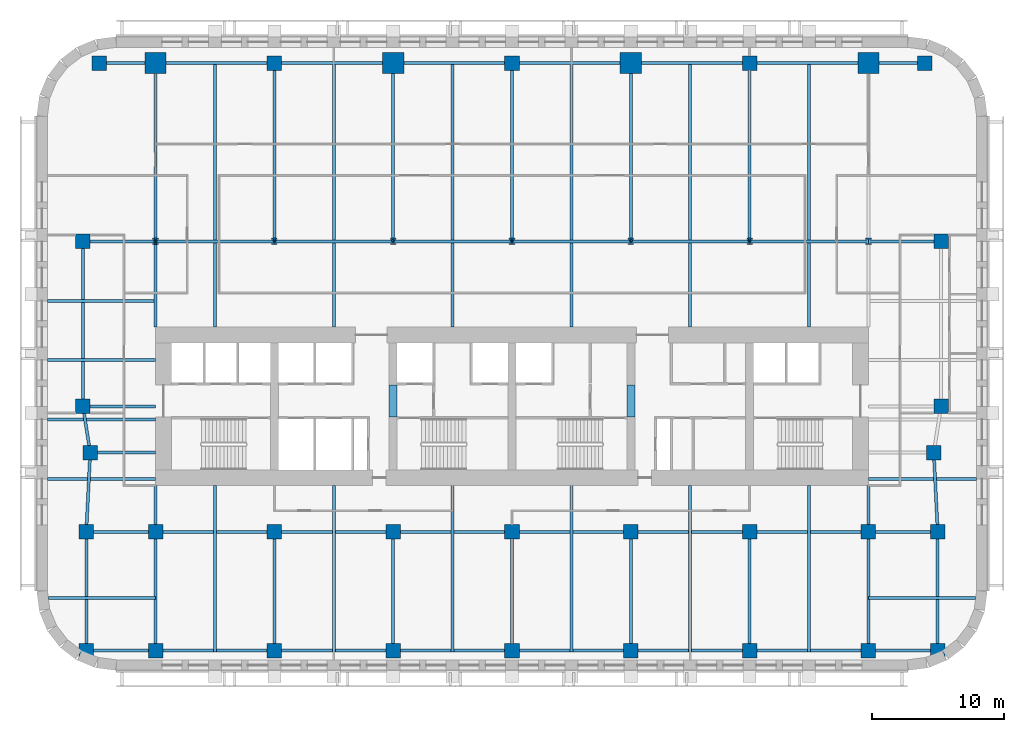
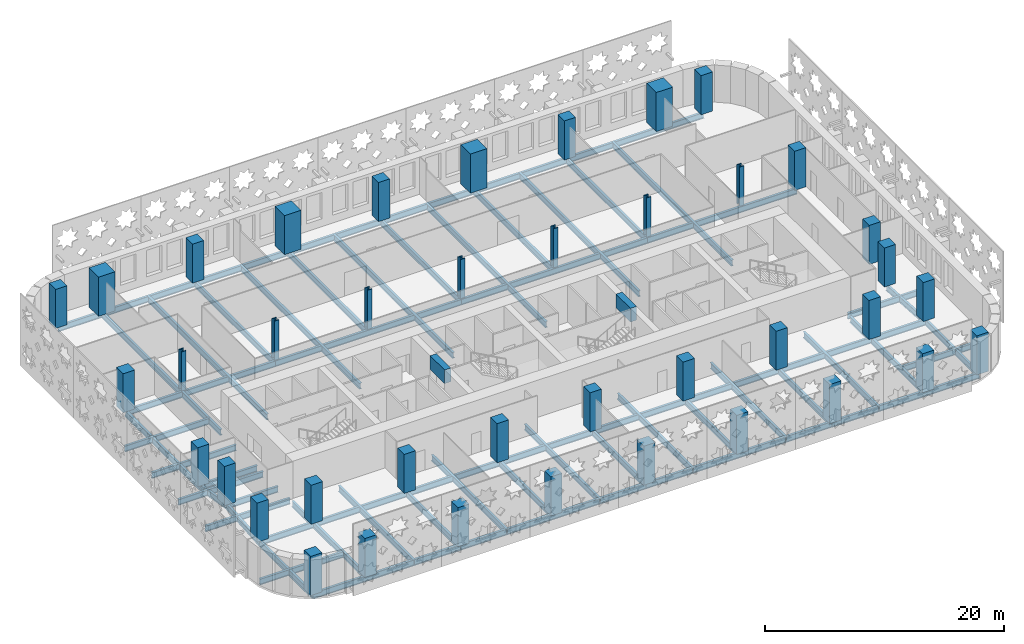
# One storey, part 1 of 15: 59 beams, 40 columns.
"""IFC4 building model written with IfcOpenShell, lengths in metres."""

from ifc_helpers import new_model, si_unit, direction, frame, origin, origin_2d, place, context, subcontext, project, spatial, rectangle, i_section, extrude, material, material_profile, profile_set, type_object, element, save


model = new_model("IFC4")

# Units and contexts
model_context = context("Model", 3, precision=1e-05, world=origin(), true_north=direction((0.0, 1.0)))
body_context = subcontext(model_context, "Body", "Model", "MODEL_VIEW")
ifc_project = project(units=[si_unit("LENGTHUNIT", "METRE"), si_unit("AREAUNIT", "SQUARE_METRE"), si_unit("VOLUMEUNIT", "CUBIC_METRE"), si_unit("PLANEANGLEUNIT", "RADIAN"), si_unit("MASSUNIT", "GRAM", prefix="KILO")], contexts=[model_context])

# Site, building, storey
site_placement = place(None, origin())
site = spatial("IfcSite", under=ifc_project, at=site_placement, CompositionType="ELEMENT")
building_placement = place(site_placement, origin())
building = spatial("IfcBuilding", under=site, at=building_placement, Name="Zellij Exchange Tower", CompositionType="ELEMENT")
storey_placement = place(building_placement, frame((0.0, 0.0, 92.5)))
storey = spatial("IfcBuildingStorey", under=building, at=storey_placement, Name="L19", CompositionType="ELEMENT", Elevation=92.5)

# Columns
ifc_material_1 = material(Name="Concrete C70/85", Category="concrete")
ifc_material_profile_1 = material_profile(ifc_material_1, rectangle(XDim=1.10009765625, YDim=1.10009765625, at=origin_2d()), Name="STR-COLUMN RC1100x1100 C70/85")
ifc_profile_set_1 = profile_set([ifc_material_profile_1], Name="Concrete C70/85")
column_type_1 = type_object("IfcColumnType", Name="STR-COLUMN RC1100x1100 C70/85", PredefinedType="COLUMN", material=ifc_profile_set_1)
for number, where, z_axis, x_axis, name in (
    (1, (-32.25, -26.5, 0.0), (0.0, 0.0, 1.0), (1.0, 0.0, 0.0), "C11"),
    (2, (-27.0, -26.5, 0.0), (0.0, 0.0, 1.0), (1.0, 0.0, 0.0), "C11"),
    (3, (-18.0, -26.5, 0.0), (0.0, 0.0, 1.0), (1.0, 0.0, 0.0), "C11"),
    (4, (-9.0, -26.5, 0.0), (0.0, 0.0, 1.0), (1.0, 0.0, 0.0), "C11"),
    (5, (0.0, -26.5, 0.0), (0.0, 0.0, 1.0), (1.0, 0.0, 0.0), "C11"),
    (6, (9.0, -26.5, 0.0), (0.0, 0.0, 1.0), (1.0, 0.0, 0.0), "C11"),
    (7, (18.0, -26.5, 0.0), (0.0, 0.0, 1.0), (1.0, 0.0, 0.0), "C11"),
    (8, (27.0, -26.5, 0.0), (0.0, 0.0, 1.0), (1.0, 0.0, 0.0), "C11"),
    (9, (32.25, -26.5, 0.0), (0.0, 0.0, 1.0), (1.0, 0.0, 0.0), "C11"),
    (10, (-32.25, -17.5, 0.0), (0.0, 0.0, 1.0), (1.0, 0.0, 0.0), "C11"),
    (11, (-27.0, -17.5, 0.0), (0.0, 0.0, 1.0), (1.0, 0.0, 0.0), "C11"),
    (12, (-18.0, -17.5, 0.0), (0.0, 0.0, 1.0), (1.0, 0.0, 0.0), "C11"),
    (13, (-9.0, -17.5, 0.0), (0.0, 0.0, 1.0), (1.0, 0.0, 0.0), "C11"),
    (14, (0.0, -17.5, 0.0), (0.0, 0.0, 1.0), (1.0, 0.0, 0.0), "C11"),
    (15, (9.0, -17.5, 0.0), (0.0, 0.0, 1.0), (1.0, 0.0, 0.0), "C11"),
    (16, (18.0, -17.5, 0.0), (0.0, 0.0, 1.0), (1.0, 0.0, 0.0), "C11"),
    (17, (27.0, -17.5, 0.0), (0.0, 0.0, 1.0), (1.0, 0.0, 0.0), "C11"),
    (18, (32.25, -17.5, 0.0), (0.0, 0.0, 1.0), (1.0, 0.0, 0.0), "C11"),
    (19, (-31.949951171875, -11.5, 0.0), (0.0, 0.0, 1.0), (1.0, 0.0, 0.0), "C11"),
    (20, (31.949951171875, -11.5, 0.0), (0.0, 0.0, 1.0), (1.0, 0.0, 0.0), "C11"),
    (21, (-32.5, -8.0, 0.0), (0.0, 0.0, 1.0), (1.0, 0.0, 0.0), "C11"),
    (22, (32.5, -8.0, 0.0), (0.0, 0.0, 1.0), (1.0, 0.0, 0.0), "C11"),
    (23, (-32.5, 4.5, 0.0), (0.0, 0.0, 1.0), (1.0, 0.0, 0.0), "C11"),
    (24, (32.5, 4.5, 0.0), (0.0, 0.0, 1.0), (1.0, 0.0, 0.0), "C11"),
    (25, (-31.25, 18.0, 0.0), (0.0, 0.0, 1.0), (1.0, 0.0, 0.0), "C11"),
    (26, (-18.0, 18.0, 0.0), (0.0, 0.0, 1.0), (1.0, 0.0, 0.0), "C11"),
    (27, (0.0, 18.0, 0.0), (0.0, 0.0, 1.0), (1.0, 0.0, 0.0), "C11"),
    (28, (18.0, 18.0, 0.0), (0.0, 0.0, 1.0), (1.0, 0.0, 0.0), "C11"),
    (29, (31.25, 18.0, 0.0), (0.0, 0.0, 1.0), (1.0, 0.0, 0.0), "C11"),
):
    element("IfcColumn", number, at=place(storey_placement, frame(where, z_axis=z_axis, x_axis=x_axis)), inside=storey, type_object=column_type_1, Name=name, PredefinedType="COLUMN", context=body_context, shape_type="SweptSolid", body=[
        extrude(rectangle(XDim=1.10009765625, YDim=1.10009765625, at=origin_2d()), origin(), (0.0, 0.0, 1.0), 4.0),
    ])
ifc_material_2 = material(Name="Structural steel ASTM A913 Gr 65", Category="steel")
ifc_material_profile_2 = material_profile(ifc_material_2, i_section(OverallWidth=0.431884765625, OverallDepth=0.497802734375, WebThickness=0.0556640625, FlangeThickness=0.0888671875, at=origin_2d()), Name="W14x500")
ifc_profile_set_2 = profile_set([ifc_material_profile_2], Name="Structural steel ASTM A913 Gr 65")
column_type_2 = type_object("IfcColumnType", Name="STR-COLUMN W14x500", PredefinedType="COLUMN", material=ifc_profile_set_2)
for number, where, z_axis, x_axis, name in (
    (30, (-27.0, 4.5, 0.0), (0.0, 0.0, 1.0), (1.0, 0.0, 0.0), "C5"),
    (31, (-18.0, 4.5, 0.0), (0.0, 0.0, 1.0), (1.0, 0.0, 0.0), "C5"),
    (32, (-9.0, 4.5, 0.0), (0.0, 0.0, 1.0), (1.0, 0.0, 0.0), "C5"),
    (33, (0.0, 4.5, 0.0), (0.0, 0.0, 1.0), (1.0, 0.0, 0.0), "C5"),
    (34, (9.0, 4.5, 0.0), (0.0, 0.0, 1.0), (1.0, 0.0, 0.0), "C5"),
    (35, (18.0, 4.5, 0.0), (0.0, 0.0, 1.0), (1.0, 0.0, 0.0), "C5"),
    (36, (27.0, 4.5, 0.0), (0.0, 0.0, 1.0), (1.0, 0.0, 0.0), "C5"),
):
    element("IfcColumn", number, at=place(storey_placement, frame(where, z_axis=z_axis, x_axis=x_axis)), inside=storey, type_object=column_type_2, Name=name, PredefinedType="COLUMN", context=body_context, shape_type="SweptSolid", body=[
        extrude(i_section(OverallWidth=0.431884765625, OverallDepth=0.497802734375, WebThickness=0.0556640625, FlangeThickness=0.0888671875, at=origin_2d()), origin(), (0.0, 0.0, 1.0), 4.0),
    ])
ifc_material_profile_3 = material_profile(ifc_material_1, rectangle(XDim=1.60009765625, YDim=1.60009765625, at=origin_2d()), Name="STR-MEGA COLUMN RC1600x1600 C70/85")
ifc_profile_set_3 = profile_set([ifc_material_profile_3], Name="Concrete C70/85")
column_type_3 = type_object("IfcColumnType", Name="STR-MEGA COLUMN RC1600x1600 C70/85", PredefinedType="COLUMN", material=ifc_profile_set_3)
for number, where, z_axis, x_axis, name in (
    (37, (-27.0, 18.0, 0.0), (0.0, 0.0, 1.0), (1.0, 0.0, 0.0), "MC6"),
    (38, (-9.0, 18.0, 0.0), (0.0, 0.0, 1.0), (1.0, 0.0, 0.0), "MC6"),
    (39, (9.0, 18.0, 0.0), (0.0, 0.0, 1.0), (1.0, 0.0, 0.0), "MC6"),
    (40, (27.0, 18.0, 0.0), (0.0, 0.0, 1.0), (1.0, 0.0, 0.0), "MC6"),
):
    element("IfcColumn", number, at=place(storey_placement, frame(where, z_axis=z_axis, x_axis=x_axis)), inside=storey, type_object=column_type_3, Name=name, PredefinedType="COLUMN", context=body_context, shape_type="SweptSolid", body=[
        extrude(rectangle(XDim=1.60009765625, YDim=1.60009765625, at=origin_2d()), origin(), (0.0, 0.0, 1.0), 4.0),
    ])

# Beams
ifc_material_profile_4 = material_profile(ifc_material_1, rectangle(XDim=0.60009765625, YDim=1.39990234375, at=origin_2d()), Name="CORE-CB 600x1400 C70/85")
ifc_profile_set_4 = profile_set([ifc_material_profile_4], Name="Concrete C70/85")
beam_type_1 = type_object("IfcBeamType", Name="CORE-CB 600x1400 C70/85", PredefinedType="BEAM", material=ifc_profile_set_4)
for number, where, z_axis, x_axis, name in (
    (41, (-9.0, -8.800048828125, 3.10009765625), (0.0, 1.0, 0.0), (-1.0, 0.0, 0.0), "Core coupling beam x -9 L19"),
    (42, (9.0, -8.800048828125, 3.10009765625), (0.0, 1.0, 0.0), (-1.0, 0.0, 0.0), "Core coupling beam x 9 L19"),
):
    element("IfcBeam", number, at=place(storey_placement, frame(where, z_axis=z_axis, x_axis=x_axis)), inside=storey, type_object=beam_type_1, Name=name, PredefinedType="BEAM", context=body_context, shape_type="SweptSolid", body=[
        extrude(rectangle(XDim=0.60009765625, YDim=1.39990234375, at=origin_2d()), origin(), (0.0, 0.0, 1.0), 2.425048828125),
    ])
ifc_material_3 = material(Name="Structural steel ASTM A992 Gr 50", Category="steel")
ifc_material_profile_5 = material_profile(ifc_material_3, i_section(OverallWidth=0.227783203125, OverallDepth=0.60205078125, WebThickness=0.010498046875, FlangeThickness=0.014892578125, at=origin_2d()), Name="W24x68")
ifc_profile_set_5 = profile_set([ifc_material_profile_5], Name="Structural steel ASTM A992 Gr 50")
beam_type_2 = type_object("IfcBeamType", Name="STR-BEAM W24x68", PredefinedType="BEAM", material=ifc_profile_set_5)
beam_1_placement = place(storey_placement, frame((-22.5, -26.614501953125, -0.5009765625), z_axis=(0.0, 1.0, 0.0), x_axis=(-1.0, 0.0, 0.0)))
element("IfcBeam", 43, at=beam_1_placement, inside=storey, type_object=beam_type_2, Name="B5", PredefinedType="BEAM", context=body_context, shape_type="SweptSolid", body=[
    extrude(i_section(OverallWidth=0.227783203125, OverallDepth=0.60205078125, WebThickness=0.010498046875, FlangeThickness=0.014892578125, at=origin_2d()), origin(), (0.0, 0.0, 1.0), 12.614501953125),
])
beam_2_placement = place(storey_placement, frame((-22.5, -2.0, -0.5009765625), z_axis=(0.0, 1.0, 0.0), x_axis=(-1.0, 0.0, 0.0)))
element("IfcBeam", 44, at=beam_2_placement, inside=storey, type_object=beam_type_2, Name="B5", PredefinedType="BEAM", context=body_context, shape_type="SweptSolid", body=[
    extrude(i_section(OverallWidth=0.227783203125, OverallDepth=0.60205078125, WebThickness=0.010498046875, FlangeThickness=0.014892578125, at=origin_2d()), origin(), (0.0, 0.0, 1.0), 20.114501953125),
])
beam_3_placement = place(storey_placement, frame((-13.5, -26.614501953125, -0.5009765625), z_axis=(0.0, 1.0, 0.0), x_axis=(-1.0, 0.0, 0.0)))
element("IfcBeam", 45, at=beam_3_placement, inside=storey, type_object=beam_type_2, Name="B5", PredefinedType="BEAM", context=body_context, shape_type="SweptSolid", body=[
    extrude(i_section(OverallWidth=0.227783203125, OverallDepth=0.60205078125, WebThickness=0.010498046875, FlangeThickness=0.014892578125, at=origin_2d()), origin(), (0.0, 0.0, 1.0), 12.614501953125),
])
beam_4_placement = place(storey_placement, frame((-13.5, -2.0, -0.5009765625), z_axis=(0.0, 1.0, 0.0), x_axis=(-1.0, 0.0, 0.0)))
element("IfcBeam", 46, at=beam_4_placement, inside=storey, type_object=beam_type_2, Name="B5", PredefinedType="BEAM", context=body_context, shape_type="SweptSolid", body=[
    extrude(i_section(OverallWidth=0.227783203125, OverallDepth=0.60205078125, WebThickness=0.010498046875, FlangeThickness=0.014892578125, at=origin_2d()), origin(), (0.0, 0.0, 1.0), 20.114501953125),
])
beam_5_placement = place(storey_placement, frame((-4.5, -26.614501953125, -0.5009765625), z_axis=(0.0, 1.0, 0.0), x_axis=(-1.0, 0.0, 0.0)))
element("IfcBeam", 47, at=beam_5_placement, inside=storey, type_object=beam_type_2, Name="B5", PredefinedType="BEAM", context=body_context, shape_type="SweptSolid", body=[
    extrude(i_section(OverallWidth=0.227783203125, OverallDepth=0.60205078125, WebThickness=0.010498046875, FlangeThickness=0.014892578125, at=origin_2d()), origin(), (0.0, 0.0, 1.0), 12.614501953125),
])
beam_6_placement = place(storey_placement, frame((-4.5, -2.0, -0.5009765625), z_axis=(0.0, 1.0, 0.0), x_axis=(-1.0, 0.0, 0.0)))
element("IfcBeam", 48, at=beam_6_placement, inside=storey, type_object=beam_type_2, Name="B5", PredefinedType="BEAM", context=body_context, shape_type="SweptSolid", body=[
    extrude(i_section(OverallWidth=0.227783203125, OverallDepth=0.60205078125, WebThickness=0.010498046875, FlangeThickness=0.014892578125, at=origin_2d()), origin(), (0.0, 0.0, 1.0), 20.114501953125),
])
beam_7_placement = place(storey_placement, frame((4.5, -26.614501953125, -0.5009765625), z_axis=(0.0, 1.0, 0.0), x_axis=(-1.0, 0.0, 0.0)))
element("IfcBeam", 49, at=beam_7_placement, inside=storey, type_object=beam_type_2, Name="B5", PredefinedType="BEAM", context=body_context, shape_type="SweptSolid", body=[
    extrude(i_section(OverallWidth=0.227783203125, OverallDepth=0.60205078125, WebThickness=0.010498046875, FlangeThickness=0.014892578125, at=origin_2d()), origin(), (0.0, 0.0, 1.0), 12.614501953125),
])
beam_8_placement = place(storey_placement, frame((4.5, -2.0, -0.5009765625), z_axis=(0.0, 1.0, 0.0), x_axis=(-1.0, 0.0, 0.0)))
element("IfcBeam", 50, at=beam_8_placement, inside=storey, type_object=beam_type_2, Name="B5", PredefinedType="BEAM", context=body_context, shape_type="SweptSolid", body=[
    extrude(i_section(OverallWidth=0.227783203125, OverallDepth=0.60205078125, WebThickness=0.010498046875, FlangeThickness=0.014892578125, at=origin_2d()), origin(), (0.0, 0.0, 1.0), 20.114501953125),
])
beam_9_placement = place(storey_placement, frame((13.5, -26.614501953125, -0.5009765625), z_axis=(0.0, 1.0, 0.0), x_axis=(-1.0, 0.0, 0.0)))
element("IfcBeam", 51, at=beam_9_placement, inside=storey, type_object=beam_type_2, Name="B5", PredefinedType="BEAM", context=body_context, shape_type="SweptSolid", body=[
    extrude(i_section(OverallWidth=0.227783203125, OverallDepth=0.60205078125, WebThickness=0.010498046875, FlangeThickness=0.014892578125, at=origin_2d()), origin(), (0.0, 0.0, 1.0), 12.614501953125),
])
beam_10_placement = place(storey_placement, frame((13.5, -2.0, -0.5009765625), z_axis=(0.0, 1.0, 0.0), x_axis=(-1.0, 0.0, 0.0)))
element("IfcBeam", 52, at=beam_10_placement, inside=storey, type_object=beam_type_2, Name="B5", PredefinedType="BEAM", context=body_context, shape_type="SweptSolid", body=[
    extrude(i_section(OverallWidth=0.227783203125, OverallDepth=0.60205078125, WebThickness=0.010498046875, FlangeThickness=0.014892578125, at=origin_2d()), origin(), (0.0, 0.0, 1.0), 20.114501953125),
])
beam_11_placement = place(storey_placement, frame((22.5, -26.614501953125, -0.5009765625), z_axis=(0.0, 1.0, 0.0), x_axis=(-1.0, 0.0, 0.0)))
element("IfcBeam", 53, at=beam_11_placement, inside=storey, type_object=beam_type_2, Name="B5", PredefinedType="BEAM", context=body_context, shape_type="SweptSolid", body=[
    extrude(i_section(OverallWidth=0.227783203125, OverallDepth=0.60205078125, WebThickness=0.010498046875, FlangeThickness=0.014892578125, at=origin_2d()), origin(), (0.0, 0.0, 1.0), 12.614501953125),
])
beam_12_placement = place(storey_placement, frame((22.5, -2.0, -0.5009765625), z_axis=(0.0, 1.0, 0.0), x_axis=(-1.0, 0.0, 0.0)))
element("IfcBeam", 54, at=beam_12_placement, inside=storey, type_object=beam_type_2, Name="B5", PredefinedType="BEAM", context=body_context, shape_type="SweptSolid", body=[
    extrude(i_section(OverallWidth=0.227783203125, OverallDepth=0.60205078125, WebThickness=0.010498046875, FlangeThickness=0.014892578125, at=origin_2d()), origin(), (0.0, 0.0, 1.0), 20.114501953125),
])
beam_13_placement = place(storey_placement, frame((-35.126953125, -22.5, -0.5009765625), z_axis=(1.0, 0.0, 0.0), x_axis=(0.0, 1.0, 0.0)))
element("IfcBeam", 55, at=beam_13_placement, inside=storey, type_object=beam_type_2, Name="B5", PredefinedType="BEAM", context=body_context, shape_type="SweptSolid", body=[
    extrude(i_section(OverallWidth=0.227783203125, OverallDepth=0.60205078125, WebThickness=0.010498046875, FlangeThickness=0.014892578125, at=origin_2d()), origin(), (0.0, 0.0, 1.0), 8.126953125),
])
for number, where, z_axis, x_axis, name in (
    (56, (-35.199951171875, -13.5, -0.5009765625), (1.0, 0.0, 0.0), (0.0, 1.0, 0.0), "B5"),
    (57, (-35.199951171875, -9.0, -0.5009765625), (1.0, 0.0, 0.0), (0.0, 1.0, 0.0), "B5"),
    (58, (-35.199951171875, -4.5, -0.5009765625), (1.0, 0.0, 0.0), (0.0, 1.0, 0.0), "B5"),
    (59, (-35.199951171875, 0.0, -0.5009765625), (1.0, 0.0, 0.0), (0.0, 1.0, 0.0), "B5"),
):
    element("IfcBeam", number, at=place(storey_placement, frame(where, z_axis=z_axis, x_axis=x_axis)), inside=storey, type_object=beam_type_2, Name=name, PredefinedType="BEAM", context=body_context, shape_type="SweptSolid", body=[
        extrude(i_section(OverallWidth=0.227783203125, OverallDepth=0.60205078125, WebThickness=0.010498046875, FlangeThickness=0.014892578125, at=origin_2d()), origin(), (0.0, 0.0, 1.0), 8.199951171875),
    ])
beam_14_placement = place(storey_placement, frame((27.0, -22.5, -0.5009765625), z_axis=(1.0, 0.0, 0.0), x_axis=(0.0, 1.0, 0.0)))
element("IfcBeam", 60, at=beam_14_placement, inside=storey, type_object=beam_type_2, Name="B5", PredefinedType="BEAM", context=body_context, shape_type="SweptSolid", body=[
    extrude(i_section(OverallWidth=0.227783203125, OverallDepth=0.60205078125, WebThickness=0.010498046875, FlangeThickness=0.014892578125, at=origin_2d()), origin(), (0.0, 0.0, 1.0), 8.126953125),
])
beam_15_placement = place(storey_placement, frame((27.0, -13.5, -0.5009765625), z_axis=(1.0, 0.0, 0.0), x_axis=(0.0, 1.0, 0.0)))
element("IfcBeam", 61, at=beam_15_placement, inside=storey, type_object=beam_type_2, Name="B5", PredefinedType="BEAM", context=body_context, shape_type="SweptSolid", body=[
    extrude(i_section(OverallWidth=0.227783203125, OverallDepth=0.60205078125, WebThickness=0.010498046875, FlangeThickness=0.014892578125, at=origin_2d()), origin(), (0.0, 0.0, 1.0), 8.199951171875),
])
ifc_material_profile_6 = material_profile(ifc_material_3, i_section(OverallWidth=0.22900390625, OverallDepth=0.612060546875, WebThickness=0.011962890625, FlangeThickness=0.01953125, at=origin_2d()), Name="W24x84")
ifc_profile_set_6 = profile_set([ifc_material_profile_6], Name="Structural steel ASTM A992 Gr 50")
beam_type_3 = type_object("IfcBeamType", Name="STR-EDGE GIRDER W24x84", PredefinedType="BEAM", material=ifc_profile_set_6)
beam_16_placement = place(storey_placement, frame((-32.25, -26.5, -0.506103515625), z_axis=(0.0, 1.0, 0.0), x_axis=(-1.0, 0.0, 0.0)))
element("IfcBeam", 62, at=beam_16_placement, inside=storey, type_object=beam_type_3, Name="EB6", PredefinedType="BEAM", context=body_context, shape_type="SweptSolid", body=[
    extrude(i_section(OverallWidth=0.22900390625, OverallDepth=0.612060546875, WebThickness=0.011962890625, FlangeThickness=0.01953125, at=origin_2d()), origin(), (0.0, 0.0, 1.0), 9.0),
])
beam_17_placement = place(storey_placement, frame((-32.25, -17.5, -0.506103515625), z_axis=(0.049945724537, 0.998751933465, 0.0), x_axis=(-0.998751933465, 0.049945724537, 0.0)))
element("IfcBeam", 63, at=beam_17_placement, inside=storey, type_object=beam_type_3, Name="EB6", PredefinedType="BEAM", context=body_context, shape_type="SweptSolid", body=[
    extrude(i_section(OverallWidth=0.22900390625, OverallDepth=0.612060546875, WebThickness=0.011962890625, FlangeThickness=0.01953125, at=origin_2d()), origin(), (0.0, 0.0, 1.0), 6.007568359375),
])
beam_18_placement = place(storey_placement, frame((-31.949951171875, -11.5, -0.506103515625), z_axis=(-0.155251283593, 0.987875011802, 0.0), x_axis=(-0.987875011802, -0.155251283593, 0.0)))
element("IfcBeam", 64, at=beam_18_placement, inside=storey, type_object=beam_type_3, Name="EB6", PredefinedType="BEAM", context=body_context, shape_type="SweptSolid", body=[
    extrude(i_section(OverallWidth=0.22900390625, OverallDepth=0.612060546875, WebThickness=0.011962890625, FlangeThickness=0.01953125, at=origin_2d()), origin(), (0.0, 0.0, 1.0), 3.54296875),
])
beam_19_placement = place(storey_placement, frame((-32.5, -8.0, -0.506103515625), z_axis=(0.0, 1.0, 0.0), x_axis=(-1.0, 0.0, 0.0)))
element("IfcBeam", 65, at=beam_19_placement, inside=storey, type_object=beam_type_3, Name="EB6", PredefinedType="BEAM", context=body_context, shape_type="SweptSolid", body=[
    extrude(i_section(OverallWidth=0.22900390625, OverallDepth=0.612060546875, WebThickness=0.011962890625, FlangeThickness=0.01953125, at=origin_2d()), origin(), (0.0, 0.0, 1.0), 12.5),
])
beam_20_placement = place(storey_placement, frame((32.25, -26.5, -0.506103515625), z_axis=(0.0, 1.0, 0.0), x_axis=(-1.0, 0.0, 0.0)))
element("IfcBeam", 66, at=beam_20_placement, inside=storey, type_object=beam_type_3, Name="EB6", PredefinedType="BEAM", context=body_context, shape_type="SweptSolid", body=[
    extrude(i_section(OverallWidth=0.22900390625, OverallDepth=0.612060546875, WebThickness=0.011962890625, FlangeThickness=0.01953125, at=origin_2d()), origin(), (0.0, 0.0, 1.0), 9.0),
])
beam_21_placement = place(storey_placement, frame((32.25, -17.5, -0.506103515625), z_axis=(-0.049945724537, 0.998751933465, 0.0), x_axis=(-0.998751933465, -0.049945724537, 0.0)))
element("IfcBeam", 67, at=beam_21_placement, inside=storey, type_object=beam_type_3, Name="EB6", PredefinedType="BEAM", context=body_context, shape_type="SweptSolid", body=[
    extrude(i_section(OverallWidth=0.22900390625, OverallDepth=0.612060546875, WebThickness=0.011962890625, FlangeThickness=0.01953125, at=origin_2d()), origin(), (0.0, 0.0, 1.0), 6.007568359375),
])
ifc_material_profile_7 = material_profile(ifc_material_3, i_section(OverallWidth=0.22900390625, OverallDepth=0.612060546875, WebThickness=0.011962890625, FlangeThickness=0.01953125, at=origin_2d()), Name="W24x84")
ifc_profile_set_7 = profile_set([ifc_material_profile_7], Name="Structural steel ASTM A992 Gr 50")
beam_type_4 = type_object("IfcBeamType", Name="STR-GIRDER W24x84", PredefinedType="BEAM", material=ifc_profile_set_7)
beam_22_placement = place(storey_placement, frame((-32.25, -26.5, -0.506103515625), z_axis=(1.0, 0.0, 0.0), x_axis=(0.0, 1.0, 0.0)))
element("IfcBeam", 68, at=beam_22_placement, inside=storey, type_object=beam_type_4, Name="G4", PredefinedType="BEAM", context=body_context, shape_type="SweptSolid", body=[
    extrude(i_section(OverallWidth=0.22900390625, OverallDepth=0.612060546875, WebThickness=0.011962890625, FlangeThickness=0.01953125, at=origin_2d()), origin(), (0.0, 0.0, 1.0), 14.25),
])
for number, where, z_axis, x_axis, name in (
    (69, (-18.0, -26.5, -0.506103515625), (1.0, 0.0, 0.0), (0.0, 1.0, 0.0), "G4"),
    (70, (0.0, -26.5, -0.506103515625), (1.0, 0.0, 0.0), (0.0, 1.0, 0.0), "G4"),
):
    element("IfcBeam", number, at=place(storey_placement, frame(where, z_axis=z_axis, x_axis=x_axis)), inside=storey, type_object=beam_type_4, Name=name, PredefinedType="BEAM", context=body_context, shape_type="SweptSolid", body=[
        extrude(i_section(OverallWidth=0.22900390625, OverallDepth=0.612060546875, WebThickness=0.011962890625, FlangeThickness=0.01953125, at=origin_2d()), origin(), (0.0, 0.0, 1.0), 18.0),
    ])
for number, where, z_axis, x_axis, name in (
    (71, (18.0, -26.5, -0.506103515625), (1.0, 0.0, 0.0), (0.0, 1.0, 0.0), "G4"),
    (72, (-32.25, -17.5, -0.506103515625), (1.0, 0.0, 0.0), (0.0, 1.0, 0.0), "G4"),
):
    element("IfcBeam", number, at=place(storey_placement, frame(where, z_axis=z_axis, x_axis=x_axis)), inside=storey, type_object=beam_type_4, Name=name, PredefinedType="BEAM", context=body_context, shape_type="SweptSolid", body=[
        extrude(i_section(OverallWidth=0.22900390625, OverallDepth=0.612060546875, WebThickness=0.011962890625, FlangeThickness=0.01953125, at=origin_2d()), origin(), (0.0, 0.0, 1.0), 14.25),
    ])
for number, where, z_axis, x_axis, name in (
    (73, (-18.0, -17.5, -0.506103515625), (1.0, 0.0, 0.0), (0.0, 1.0, 0.0), "G4"),
    (74, (0.0, -17.5, -0.506103515625), (1.0, 0.0, 0.0), (0.0, 1.0, 0.0), "G4"),
):
    element("IfcBeam", number, at=place(storey_placement, frame(where, z_axis=z_axis, x_axis=x_axis)), inside=storey, type_object=beam_type_4, Name=name, PredefinedType="BEAM", context=body_context, shape_type="SweptSolid", body=[
        extrude(i_section(OverallWidth=0.22900390625, OverallDepth=0.612060546875, WebThickness=0.011962890625, FlangeThickness=0.01953125, at=origin_2d()), origin(), (0.0, 0.0, 1.0), 18.0),
    ])
beam_23_placement = place(storey_placement, frame((18.0, -17.5, -0.506103515625), z_axis=(1.0, 0.0, 0.0), x_axis=(0.0, 1.0, 0.0)))
element("IfcBeam", 75, at=beam_23_placement, inside=storey, type_object=beam_type_4, Name="G4", PredefinedType="BEAM", context=body_context, shape_type="SweptSolid", body=[
    extrude(i_section(OverallWidth=0.22900390625, OverallDepth=0.612060546875, WebThickness=0.011962890625, FlangeThickness=0.01953125, at=origin_2d()), origin(), (0.0, 0.0, 1.0), 14.25),
])
beam_24_placement = place(storey_placement, frame((-31.949951171875, -11.5, -0.506103515625), z_axis=(1.0, 0.0, 0.0), x_axis=(0.0, 1.0, 0.0)))
element("IfcBeam", 76, at=beam_24_placement, inside=storey, type_object=beam_type_4, Name="G4", PredefinedType="BEAM", context=body_context, shape_type="SweptSolid", body=[
    extrude(i_section(OverallWidth=0.22900390625, OverallDepth=0.612060546875, WebThickness=0.011962890625, FlangeThickness=0.01953125, at=origin_2d()), origin(), (0.0, 0.0, 1.0), 4.949951171875),
])
beam_25_placement = place(storey_placement, frame((-32.5, -8.0, -0.506103515625), z_axis=(1.0, 0.0, 0.0), x_axis=(0.0, 1.0, 0.0)))
element("IfcBeam", 77, at=beam_25_placement, inside=storey, type_object=beam_type_4, Name="G4", PredefinedType="BEAM", context=body_context, shape_type="SweptSolid", body=[
    extrude(i_section(OverallWidth=0.22900390625, OverallDepth=0.612060546875, WebThickness=0.011962890625, FlangeThickness=0.01953125, at=origin_2d()), origin(), (0.0, 0.0, 1.0), 5.5),
])
beam_26_placement = place(storey_placement, frame((-32.5, 4.5, -0.506103515625), z_axis=(1.0, 0.0, 0.0), x_axis=(0.0, 1.0, 0.0)))
element("IfcBeam", 78, at=beam_26_placement, inside=storey, type_object=beam_type_4, Name="G4", PredefinedType="BEAM", context=body_context, shape_type="SweptSolid", body=[
    extrude(i_section(OverallWidth=0.22900390625, OverallDepth=0.612060546875, WebThickness=0.011962890625, FlangeThickness=0.01953125, at=origin_2d()), origin(), (0.0, 0.0, 1.0), 14.5),
])
for number, where, z_axis, x_axis, name in (
    (79, (-18.0, 4.5, -0.506103515625), (1.0, 0.0, 0.0), (0.0, 1.0, 0.0), "G4"),
    (80, (0.0, 4.5, -0.506103515625), (1.0, 0.0, 0.0), (0.0, 1.0, 0.0), "G4"),
):
    element("IfcBeam", number, at=place(storey_placement, frame(where, z_axis=z_axis, x_axis=x_axis)), inside=storey, type_object=beam_type_4, Name=name, PredefinedType="BEAM", context=body_context, shape_type="SweptSolid", body=[
        extrude(i_section(OverallWidth=0.22900390625, OverallDepth=0.612060546875, WebThickness=0.011962890625, FlangeThickness=0.01953125, at=origin_2d()), origin(), (0.0, 0.0, 1.0), 18.0),
    ])
beam_27_placement = place(storey_placement, frame((18.0, 4.5, -0.506103515625), z_axis=(1.0, 0.0, 0.0), x_axis=(0.0, 1.0, 0.0)))
element("IfcBeam", 81, at=beam_27_placement, inside=storey, type_object=beam_type_4, Name="G4", PredefinedType="BEAM", context=body_context, shape_type="SweptSolid", body=[
    extrude(i_section(OverallWidth=0.22900390625, OverallDepth=0.612060546875, WebThickness=0.011962890625, FlangeThickness=0.01953125, at=origin_2d()), origin(), (0.0, 0.0, 1.0), 14.5),
])
beam_28_placement = place(storey_placement, frame((-31.25, 18.0, -0.506103515625), z_axis=(1.0, 0.0, 0.0), x_axis=(0.0, 1.0, 0.0)))
element("IfcBeam", 82, at=beam_28_placement, inside=storey, type_object=beam_type_4, Name="G4", PredefinedType="BEAM", context=body_context, shape_type="SweptSolid", body=[
    extrude(i_section(OverallWidth=0.22900390625, OverallDepth=0.612060546875, WebThickness=0.011962890625, FlangeThickness=0.01953125, at=origin_2d()), origin(), (0.0, 0.0, 1.0), 13.25),
])
for number, where, z_axis, x_axis, name in (
    (83, (-18.0, 18.0, -0.506103515625), (1.0, 0.0, 0.0), (0.0, 1.0, 0.0), "G4"),
    (84, (0.0, 18.0, -0.506103515625), (1.0, 0.0, 0.0), (0.0, 1.0, 0.0), "G4"),
):
    element("IfcBeam", number, at=place(storey_placement, frame(where, z_axis=z_axis, x_axis=x_axis)), inside=storey, type_object=beam_type_4, Name=name, PredefinedType="BEAM", context=body_context, shape_type="SweptSolid", body=[
        extrude(i_section(OverallWidth=0.22900390625, OverallDepth=0.612060546875, WebThickness=0.011962890625, FlangeThickness=0.01953125, at=origin_2d()), origin(), (0.0, 0.0, 1.0), 18.0),
    ])
beam_29_placement = place(storey_placement, frame((18.0, 18.0, -0.506103515625), z_axis=(1.0, 0.0, 0.0), x_axis=(0.0, 1.0, 0.0)))
element("IfcBeam", 85, at=beam_29_placement, inside=storey, type_object=beam_type_4, Name="G4", PredefinedType="BEAM", context=body_context, shape_type="SweptSolid", body=[
    extrude(i_section(OverallWidth=0.22900390625, OverallDepth=0.612060546875, WebThickness=0.011962890625, FlangeThickness=0.01953125, at=origin_2d()), origin(), (0.0, 0.0, 1.0), 13.25),
])
beam_30_placement = place(storey_placement, frame((-27.0, -26.5, -0.506103515625), z_axis=(0.0, 1.0, 0.0), x_axis=(-1.0, 0.0, 0.0)))
element("IfcBeam", 86, at=beam_30_placement, inside=storey, type_object=beam_type_4, Name="G4", PredefinedType="BEAM", context=body_context, shape_type="SweptSolid", body=[
    extrude(i_section(OverallWidth=0.22900390625, OverallDepth=0.612060546875, WebThickness=0.011962890625, FlangeThickness=0.01953125, at=origin_2d()), origin(), (0.0, 0.0, 1.0), 12.5),
])
beam_31_placement = place(storey_placement, frame((-27.0, -2.0, -0.506103515625), z_axis=(0.0, 1.0, 0.0), x_axis=(-1.0, 0.0, 0.0)))
element("IfcBeam", 87, at=beam_31_placement, inside=storey, type_object=beam_type_4, Name="G4", PredefinedType="BEAM", context=body_context, shape_type="SweptSolid", body=[
    extrude(i_section(OverallWidth=0.22900390625, OverallDepth=0.612060546875, WebThickness=0.011962890625, FlangeThickness=0.01953125, at=origin_2d()), origin(), (0.0, 0.0, 1.0), 6.5),
])
beam_32_placement = place(storey_placement, frame((-27.0, 4.5, -0.506103515625), z_axis=(0.0, 1.0, 0.0), x_axis=(-1.0, 0.0, 0.0)))
element("IfcBeam", 88, at=beam_32_placement, inside=storey, type_object=beam_type_4, Name="G4", PredefinedType="BEAM", context=body_context, shape_type="SweptSolid", body=[
    extrude(i_section(OverallWidth=0.22900390625, OverallDepth=0.612060546875, WebThickness=0.011962890625, FlangeThickness=0.01953125, at=origin_2d()), origin(), (0.0, 0.0, 1.0), 13.5),
])
beam_33_placement = place(storey_placement, frame((-18.0, -26.5, -0.506103515625), z_axis=(0.0, 1.0, 0.0), x_axis=(-1.0, 0.0, 0.0)))
element("IfcBeam", 89, at=beam_33_placement, inside=storey, type_object=beam_type_4, Name="G4", PredefinedType="BEAM", context=body_context, shape_type="SweptSolid", body=[
    extrude(i_section(OverallWidth=0.22900390625, OverallDepth=0.612060546875, WebThickness=0.011962890625, FlangeThickness=0.01953125, at=origin_2d()), origin(), (0.0, 0.0, 1.0), 9.0),
])
beam_34_placement = place(storey_placement, frame((-18.0, 4.5, -0.506103515625), z_axis=(0.0, 1.0, 0.0), x_axis=(-1.0, 0.0, 0.0)))
element("IfcBeam", 90, at=beam_34_placement, inside=storey, type_object=beam_type_4, Name="G4", PredefinedType="BEAM", context=body_context, shape_type="SweptSolid", body=[
    extrude(i_section(OverallWidth=0.22900390625, OverallDepth=0.612060546875, WebThickness=0.011962890625, FlangeThickness=0.01953125, at=origin_2d()), origin(), (0.0, 0.0, 1.0), 13.5),
])
beam_35_placement = place(storey_placement, frame((-9.0, -26.5, -0.506103515625), z_axis=(0.0, 1.0, 0.0), x_axis=(-1.0, 0.0, 0.0)))
element("IfcBeam", 91, at=beam_35_placement, inside=storey, type_object=beam_type_4, Name="G4", PredefinedType="BEAM", context=body_context, shape_type="SweptSolid", body=[
    extrude(i_section(OverallWidth=0.22900390625, OverallDepth=0.612060546875, WebThickness=0.011962890625, FlangeThickness=0.01953125, at=origin_2d()), origin(), (0.0, 0.0, 1.0), 9.0),
])
beam_36_placement = place(storey_placement, frame((-9.0, 4.5, -0.506103515625), z_axis=(0.0, 1.0, 0.0), x_axis=(-1.0, 0.0, 0.0)))
element("IfcBeam", 92, at=beam_36_placement, inside=storey, type_object=beam_type_4, Name="G4", PredefinedType="BEAM", context=body_context, shape_type="SweptSolid", body=[
    extrude(i_section(OverallWidth=0.22900390625, OverallDepth=0.612060546875, WebThickness=0.011962890625, FlangeThickness=0.01953125, at=origin_2d()), origin(), (0.0, 0.0, 1.0), 13.5),
])
beam_37_placement = place(storey_placement, frame((0.0, -26.5, -0.506103515625), z_axis=(0.0, 1.0, 0.0), x_axis=(-1.0, 0.0, 0.0)))
element("IfcBeam", 93, at=beam_37_placement, inside=storey, type_object=beam_type_4, Name="G4", PredefinedType="BEAM", context=body_context, shape_type="SweptSolid", body=[
    extrude(i_section(OverallWidth=0.22900390625, OverallDepth=0.612060546875, WebThickness=0.011962890625, FlangeThickness=0.01953125, at=origin_2d()), origin(), (0.0, 0.0, 1.0), 9.0),
])
beam_38_placement = place(storey_placement, frame((0.0, 4.5, -0.506103515625), z_axis=(0.0, 1.0, 0.0), x_axis=(-1.0, 0.0, 0.0)))
element("IfcBeam", 94, at=beam_38_placement, inside=storey, type_object=beam_type_4, Name="G4", PredefinedType="BEAM", context=body_context, shape_type="SweptSolid", body=[
    extrude(i_section(OverallWidth=0.22900390625, OverallDepth=0.612060546875, WebThickness=0.011962890625, FlangeThickness=0.01953125, at=origin_2d()), origin(), (0.0, 0.0, 1.0), 13.5),
])
beam_39_placement = place(storey_placement, frame((9.0, -26.5, -0.506103515625), z_axis=(0.0, 1.0, 0.0), x_axis=(-1.0, 0.0, 0.0)))
element("IfcBeam", 95, at=beam_39_placement, inside=storey, type_object=beam_type_4, Name="G4", PredefinedType="BEAM", context=body_context, shape_type="SweptSolid", body=[
    extrude(i_section(OverallWidth=0.22900390625, OverallDepth=0.612060546875, WebThickness=0.011962890625, FlangeThickness=0.01953125, at=origin_2d()), origin(), (0.0, 0.0, 1.0), 9.0),
])
beam_40_placement = place(storey_placement, frame((9.0, 4.5, -0.506103515625), z_axis=(0.0, 1.0, 0.0), x_axis=(-1.0, 0.0, 0.0)))
element("IfcBeam", 96, at=beam_40_placement, inside=storey, type_object=beam_type_4, Name="G4", PredefinedType="BEAM", context=body_context, shape_type="SweptSolid", body=[
    extrude(i_section(OverallWidth=0.22900390625, OverallDepth=0.612060546875, WebThickness=0.011962890625, FlangeThickness=0.01953125, at=origin_2d()), origin(), (0.0, 0.0, 1.0), 13.5),
])
beam_41_placement = place(storey_placement, frame((18.0, -26.5, -0.506103515625), z_axis=(0.0, 1.0, 0.0), x_axis=(-1.0, 0.0, 0.0)))
element("IfcBeam", 97, at=beam_41_placement, inside=storey, type_object=beam_type_4, Name="G4", PredefinedType="BEAM", context=body_context, shape_type="SweptSolid", body=[
    extrude(i_section(OverallWidth=0.22900390625, OverallDepth=0.612060546875, WebThickness=0.011962890625, FlangeThickness=0.01953125, at=origin_2d()), origin(), (0.0, 0.0, 1.0), 9.0),
])
beam_42_placement = place(storey_placement, frame((18.0, 4.5, -0.506103515625), z_axis=(0.0, 1.0, 0.0), x_axis=(-1.0, 0.0, 0.0)))
element("IfcBeam", 98, at=beam_42_placement, inside=storey, type_object=beam_type_4, Name="G4", PredefinedType="BEAM", context=body_context, shape_type="SweptSolid", body=[
    extrude(i_section(OverallWidth=0.22900390625, OverallDepth=0.612060546875, WebThickness=0.011962890625, FlangeThickness=0.01953125, at=origin_2d()), origin(), (0.0, 0.0, 1.0), 13.5),
])
beam_43_placement = place(storey_placement, frame((27.0, -26.5, -0.506103515625), z_axis=(0.0, 1.0, 0.0), x_axis=(-1.0, 0.0, 0.0)))
element("IfcBeam", 99, at=beam_43_placement, inside=storey, type_object=beam_type_4, Name="G4", PredefinedType="BEAM", context=body_context, shape_type="SweptSolid", body=[
    extrude(i_section(OverallWidth=0.22900390625, OverallDepth=0.612060546875, WebThickness=0.011962890625, FlangeThickness=0.01953125, at=origin_2d()), origin(), (0.0, 0.0, 1.0), 12.5),
])

save(model, "model.ifc")
